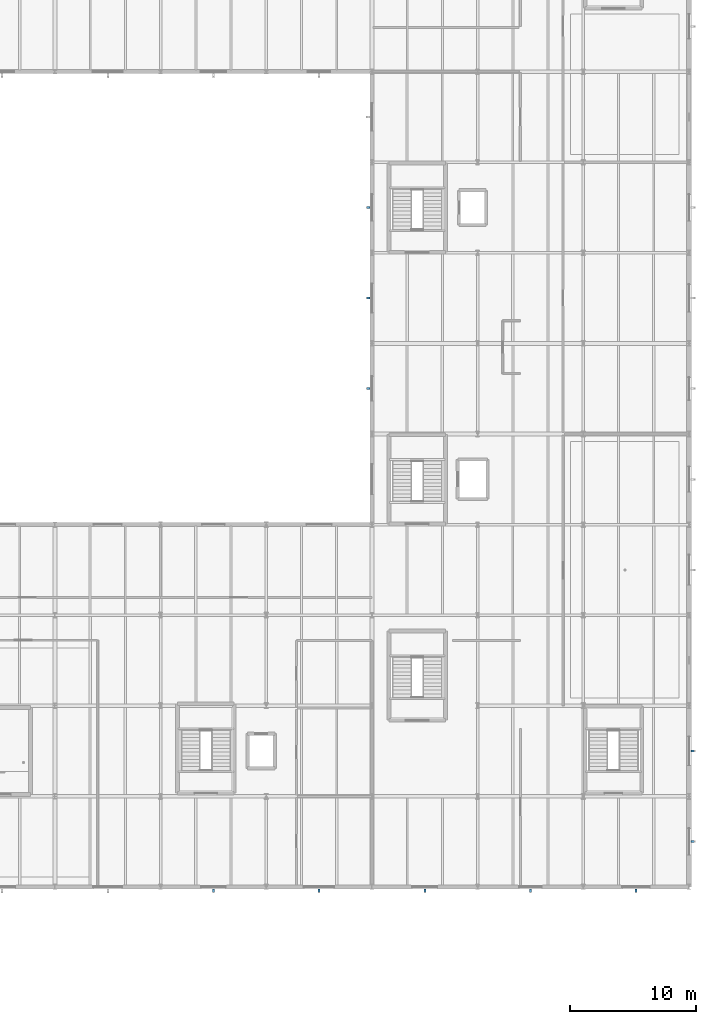
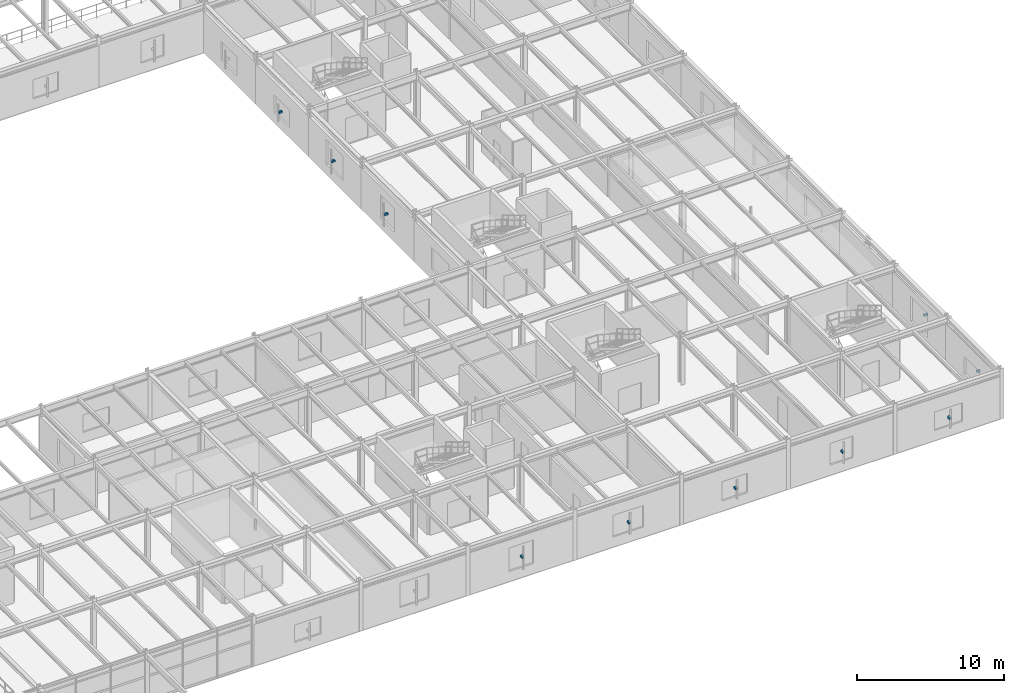
# One storey, part 75 of 109: 10 discrete accessories.
"""IFC4 building model written with IfcOpenShell, lengths in metres."""

from ifc_helpers import new_model, si_unit, derived_unit, direction, frame, origin, origin_2d, place, context, subcontext, project, spatial, rectangle, extrude, material, type_object, element, save


model = new_model("IFC4")

# Units and contexts
model_context = context("Model", 3, precision=1e-05, world=origin(), true_north=direction((0.0, 1.0)))
body_context = subcontext(model_context, "Body", "Model", "MODEL_VIEW")
ifc_project = project(units=[si_unit("LENGTHUNIT", "METRE"), si_unit("AREAUNIT", "SQUARE_METRE"), si_unit("VOLUMEUNIT", "CUBIC_METRE"), si_unit("PLANEANGLEUNIT", "RADIAN"), si_unit("MASSUNIT", "GRAM", prefix="KILO"), derived_unit("THERMALTRANSMITTANCEUNIT", [(si_unit("MASSUNIT", "GRAM", prefix="KILO"), 1), (si_unit("TIMEUNIT", "SECOND"), -3), (si_unit("THERMODYNAMICTEMPERATUREUNIT", "KELVIN"), -1)])], contexts=[model_context])

# Site, building, storey
site_placement = place(None, origin())
site = spatial("IfcSite", under=ifc_project, at=site_placement, CompositionType="ELEMENT")
building_placement = place(site_placement, origin())
building = spatial("IfcBuilding", under=site, at=building_placement, Name="Kharveza Railside Sports Centre", CompositionType="ELEMENT")
storey_placement = place(building_placement, frame((0.0, 0.0, 4.5)))
storey = spatial("IfcBuildingStorey", under=building, at=storey_placement, Name="L01", CompositionType="ELEMENT", Elevation=4.5)

# Discrete accessories
ifc_material = material(Name="Steel S275JR", Category="steel")
discrete_accessory_type = type_object("IfcDiscreteAccessoryType", Name="DA-BK01", PredefinedType="BRACKET", material=ifc_material)
for number, where, z_axis, x_axis, name in (
    (1, (130.199951171875, 6.909912109375, 1.7451171875), (0.0, 0.0, 1.0), (0.0, -1.0, 0.0), "BK-FIN-033"),
    (2, (138.60009765625, 6.909912109375, 1.669921875), (0.0, 0.0, 1.0), (0.0, -1.0, 0.0), "BK-FIN-034"),
    (3, (147.0, 6.909912109375, 1.56982421875), (0.0, 0.0, 1.0), (0.0, -1.0, 0.0), "BK-FIN-035"),
    (4, (155.39990234375, 6.909912109375, 1.669921875), (0.0, 0.0, 1.0), (0.0, -1.0, 0.0), "BK-FIN-036"),
    (5, (163.800048828125, 6.909912109375, 1.544921875), (0.0, 0.0, 1.0), (0.0, -1.0, 0.0), "BK-FIN-037"),
    (6, (168.320068359375, 10.800048828125, 1.4951171875), (0.0, 0.0, 1.0), (1.0, 0.0, 0.0), "BK-FIN-038"),
    (7, (168.320068359375, 18.0, 1.794921875), (0.0, 0.0, 1.0), (1.0, 0.0, 0.0), "BK-FIN-039"),
    (8, (142.510009765625, 61.199951171875, 1.4951171875), (0.0, 0.0, 1.0), (-1.0, 0.0, 0.0), "BK-FIN-062"),
    (9, (142.510009765625, 54.0, 1.794921875), (0.0, 0.0, 1.0), (-1.0, 0.0, 0.0), "BK-FIN-063"),
    (10, (142.510009765625, 46.800048828125, 1.7451171875), (0.0, 0.0, 1.0), (-1.0, 0.0, 0.0), "BK-FIN-064"),
):
    element("IfcDiscreteAccessory", number, at=place(storey_placement, frame(where, z_axis=z_axis, x_axis=x_axis)), inside=storey, type_object=discrete_accessory_type, Name=name, PredefinedType="BRACKET", context=body_context, shape_type="SweptSolid", body=[
        extrude(rectangle(XDim=0.280029296875, YDim=0.159912109375, at=origin_2d()), origin(), (0.0, 0.0, 1.0), 0.159912109375),
    ])

save(model, "model.ifc")
